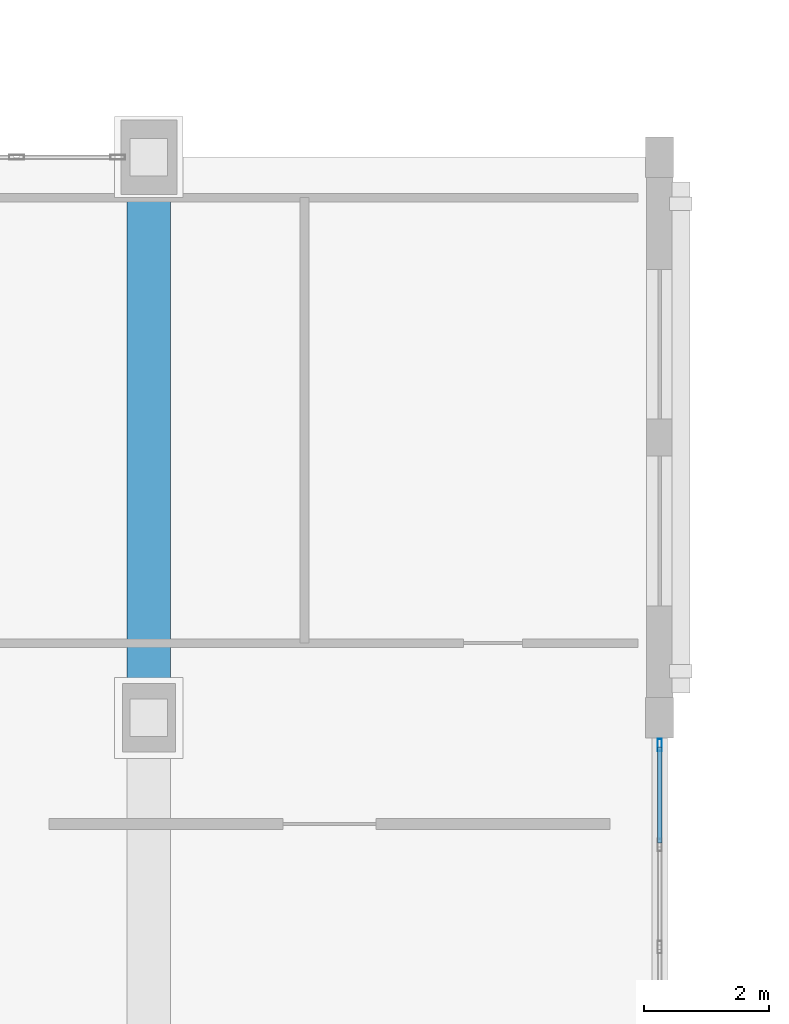
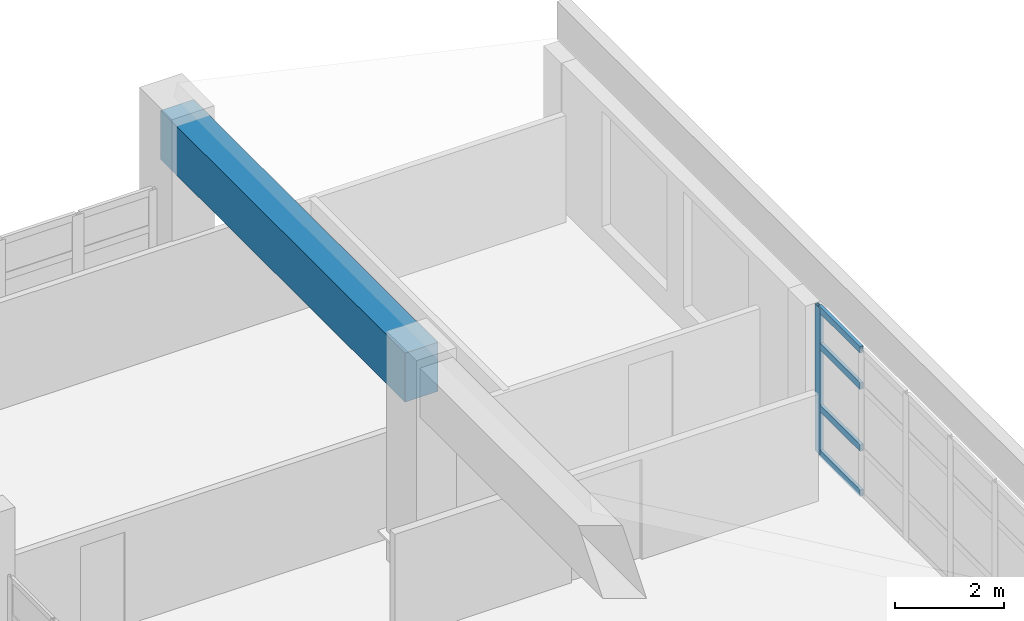
# One storey, part 32 of 80: 5 members, 1 beam, 1 element without a shape of its own.
"""IFC4 building model written with IfcOpenShell, lengths in metres."""

from ifc_helpers import new_model, si_unit, direction, frame, origin, origin_2d, place, context, subcontext, project, spatial, rectangle, hollow_rectangle, extrude, material, layer, layer_set, material_profile, profile_set, type_object, element, aggregate, save


model = new_model("IFC4")

# Units and contexts
model_context = context("Model", 3, precision=1e-05, world=origin(), true_north=direction((0.0, 1.0)))
body_context = subcontext(model_context, "Body", "Model", "MODEL_VIEW")
ifc_project = project(units=[si_unit("LENGTHUNIT", "METRE"), si_unit("AREAUNIT", "SQUARE_METRE"), si_unit("VOLUMEUNIT", "CUBIC_METRE"), si_unit("PLANEANGLEUNIT", "RADIAN"), si_unit("MASSUNIT", "GRAM", prefix="KILO")], contexts=[model_context])

# Site, building, storey
site_placement = place(None, origin())
site = spatial("IfcSite", under=ifc_project, at=site_placement, CompositionType="ELEMENT")
building_placement = place(site_placement, origin())
building = spatial("IfcBuilding", under=site, at=building_placement, Name="Ornek Quay Market", CompositionType="ELEMENT")
storey_placement = place(building_placement, frame((0.0, 0.0, 8.39990234375)))
storey = spatial("IfcBuildingStorey", under=building, at=storey_placement, Name="L02", CompositionType="ELEMENT", Elevation=8.39990234375)

# Beam
ifc_material_1 = material(Name="Concrete C45/55", Category="concrete")
ifc_material_profile_1 = material_profile(ifc_material_1, rectangle(XDim=0.699951171875, YDim=1.10009765625, at=origin_2d()), Name="RC 700x1100", Category="concrete")
ifc_profile_set_1 = profile_set([ifc_material_profile_1], Name="Concrete C45/55")
beam_type = type_object("IfcBeamType", Name="BM-ARCH-TIE-700x1100", PredefinedType="BEAM", material=ifc_profile_set_1)
beam_placement = place(storey_placement, frame((117.0, 83.0, 4.400146484375), z_axis=(0.0, 1.0, 0.0), x_axis=(-1.0, 0.0, 0.0)))
element("IfcBeam", 1, at=beam_placement, inside=storey, type_object=beam_type, Name="Arch springing edge tie beam K-E", PredefinedType="BEAM", context=body_context, shape_type="SweptSolid", body=[
    extrude(rectangle(XDim=0.699951171875, YDim=1.10009765625, at=origin_2d()), origin(), (0.0, 0.0, 1.0), 9.0),
])

# Curtain wall, members
ifc_material_2 = material(Name="Anodised bronze aluminium and triple low-e glass", Category="aluminium")
ifc_layer = layer(ifc_material_2, 0.239990234375, Name="Anodised bronze aluminium and triple low-e glass", Category="aluminium")
ifc_layer_set = layer_set([ifc_layer], Name="Anodised bronze aluminium and triple low-e glass")
curtain_wall_type = type_object("IfcCurtainWallType", Name="CW-GAB-MOD1800", PredefinedType="USERDEFINED", material=ifc_layer_set)
curtain_wall_placement = place(storey_placement, origin())
curtain_wall = element("IfcCurtainWall", 2, at=curtain_wall_placement, inside=storey, type_object=curtain_wall_type, Name="Curtain wall CW-062", ObjectType="CURTAIN WALL", PredefinedType="USERDEFINED")
ifc_material_3 = material(Name="Anodised aluminium 6063-T6", Category="aluminium")
ifc_material_profile_2 = material_profile(ifc_material_3, hollow_rectangle(XDim=0.070068359375, YDim=0.199951171875, WallThickness=0.0048828125, at=origin_2d()), Name="CW-MUL-70x200", Category="aluminium")
ifc_profile_set_2 = profile_set([ifc_material_profile_2], Name="Anodised aluminium 6063-T6")
member_type_1 = type_object("IfcMemberType", Name="CW-MUL-70x200", PredefinedType="MULLION", material=ifc_profile_set_2)
member_1_placement = place(storey_placement, frame((125.199951171875, 82.56494140625, 0.0), z_axis=(0.0, 0.0, 1.0), x_axis=(-1.0, 0.0, 0.0)))
member_1 = element("IfcMember", 3, at=member_1_placement, type_object=member_type_1, Name="CW-062 mullion 6", PredefinedType="MULLION", context=body_context, shape_type="SweptSolid", body=[
    extrude(hollow_rectangle(XDim=0.070068359375, YDim=0.199951171875, WallThickness=0.0048828125, at=origin_2d()), origin(), (0.0, 0.0, 1.0), 3.2900390625),
])
ifc_material_profile_3 = material_profile(ifc_material_3, hollow_rectangle(XDim=0.070068359375, YDim=0.14990234375, WallThickness=0.0048828125, at=origin_2d()), Name="CW-TRN-70x150", Category="aluminium")
ifc_profile_set_3 = profile_set([ifc_material_profile_3], Name="Anodised aluminium 6063-T6")
member_type_2 = type_object("IfcMemberType", Name="CW-TRN-70x150", PredefinedType="USERDEFINED", material=ifc_profile_set_3)
member_2_placement = place(storey_placement, frame((125.199951171875, 80.9951171875, 0.03515625), z_axis=(0.0, 1.0, 0.0), x_axis=(-1.0, 0.0, 0.0)))
member_2 = element("IfcMember", 4, at=member_2_placement, type_object=member_type_2, Name="CW-062 transom 5.1", ObjectType="TRANSOM", PredefinedType="USERDEFINED", context=body_context, shape_type="SweptSolid", body=[
    extrude(hollow_rectangle(XDim=0.070068359375, YDim=0.14990234375, WallThickness=0.0048828125, at=origin_2d()), origin(), (0.0, 0.0, 1.0), 1.534912109375),
])
member_3_placement = place(storey_placement, frame((125.199951171875, 80.9951171875, 1.050048828125), z_axis=(0.0, 1.0, 0.0), x_axis=(-1.0, 0.0, 0.0)))
member_3 = element("IfcMember", 5, at=member_3_placement, type_object=member_type_2, Name="CW-062 transom 5.2", ObjectType="TRANSOM", PredefinedType="USERDEFINED", context=body_context, shape_type="SweptSolid", body=[
    extrude(hollow_rectangle(XDim=0.070068359375, YDim=0.14990234375, WallThickness=0.0048828125, at=origin_2d()), origin(), (0.0, 0.0, 1.0), 1.534912109375),
])
member_4_placement = place(storey_placement, frame((125.199951171875, 80.9951171875, 2.440185546875), z_axis=(0.0, 1.0, 0.0), x_axis=(-1.0, 0.0, 0.0)))
member_4 = element("IfcMember", 6, at=member_4_placement, type_object=member_type_2, Name="CW-062 transom 5.3", ObjectType="TRANSOM", PredefinedType="USERDEFINED", context=body_context, shape_type="SweptSolid", body=[
    extrude(hollow_rectangle(XDim=0.070068359375, YDim=0.14990234375, WallThickness=0.0048828125, at=origin_2d()), origin(), (0.0, 0.0, 1.0), 1.534912109375),
])
member_5_placement = place(storey_placement, frame((125.199951171875, 80.9951171875, 3.255126953125), z_axis=(0.0, 1.0, 0.0), x_axis=(-1.0, 0.0, 0.0)))
member_5 = element("IfcMember", 7, at=member_5_placement, type_object=member_type_2, Name="CW-062 transom 5.4", ObjectType="TRANSOM", PredefinedType="USERDEFINED", context=body_context, shape_type="SweptSolid", body=[
    extrude(hollow_rectangle(XDim=0.070068359375, YDim=0.14990234375, WallThickness=0.0048828125, at=origin_2d()), origin(), (0.0, 0.0, 1.0), 1.534912109375),
])
aggregate(curtain_wall, [member_1, member_2, member_3, member_4, member_5])

save(model, "model.ifc")
